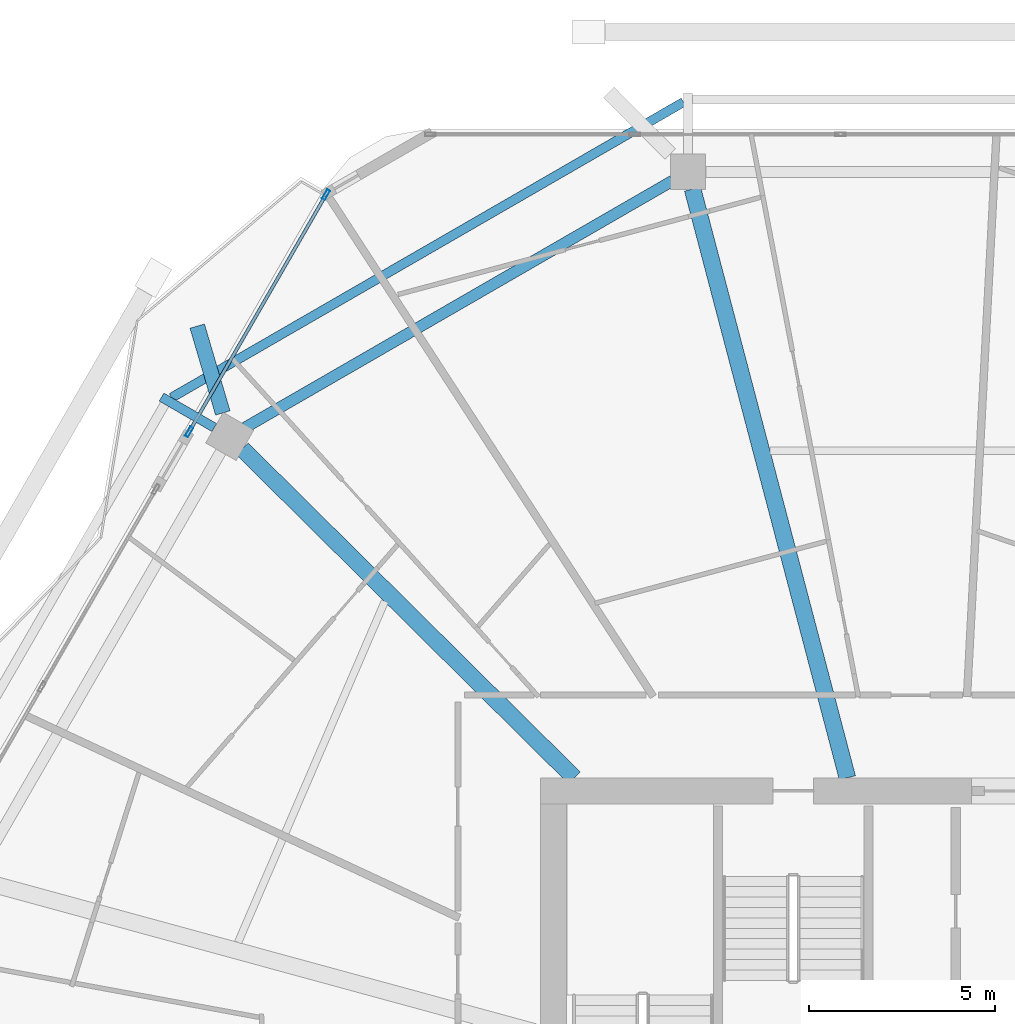
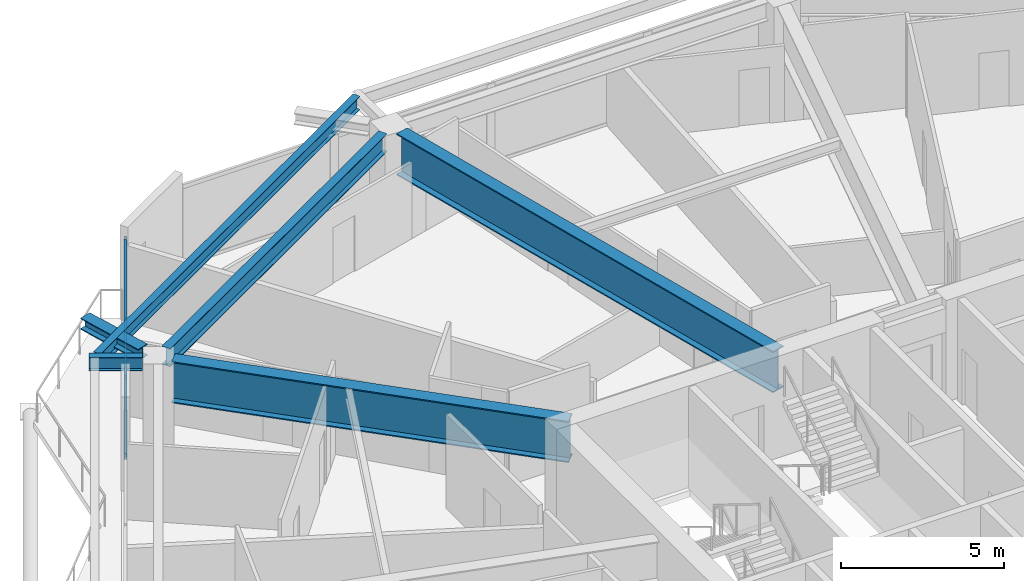
# One storey, part 14 of 28: 6 beams, 4 members, 1 element without a shape of its own.
"""IFC4 building model written with IfcOpenShell, lengths in metres."""

from ifc_helpers import new_model, si_unit, direction, frame, origin, origin_2d, place, context, subcontext, project, spatial, hollow_rectangle, i_section, extrude, material, material_profile, profile_set, type_object, element, aggregate, save


model = new_model("IFC4")

# Units and contexts
model_context = context("Model", 3, precision=1e-05, world=origin(), true_north=direction((0.0, 1.0)))
body_context = subcontext(model_context, "Body", "Model", "MODEL_VIEW")
ifc_project = project(units=[si_unit("LENGTHUNIT", "METRE"), si_unit("AREAUNIT", "SQUARE_METRE"), si_unit("VOLUMEUNIT", "CUBIC_METRE"), si_unit("PLANEANGLEUNIT", "RADIAN"), si_unit("MASSUNIT", "GRAM", prefix="KILO")], contexts=[model_context])

# Site, building, storey
site_placement = place(None, origin())
site = spatial("IfcSite", under=ifc_project, at=site_placement, CompositionType="ELEMENT")
building_placement = place(site_placement, origin())
building = spatial("IfcBuilding", under=site, at=building_placement, Name="Zuhravey Tower", CompositionType="ELEMENT")
storey_placement = place(building_placement, frame((0.0, 0.0, 222.60009765625)))
storey = spatial("IfcBuildingStorey", under=building, at=storey_placement, Name="L56", CompositionType="ELEMENT", Elevation=222.60009765625)

# Curtain wall, members
ifc_material_1 = material(Name="Thermally broken anodised aluminium", Category="aluminium")
curtain_wall_type = type_object("IfcCurtainWallType", Name="Zone 1-2 Residential Curtain Wall CW3", PredefinedType="NOTDEFINED", material=ifc_material_1)
curtain_wall_placement = place(storey_placement, origin())
curtain_wall = element("IfcCurtainWall", 1, at=curtain_wall_placement, inside=storey, type_object=curtain_wall_type, Name="L56 CW3 CW-L56-F3-2", PredefinedType="NOTDEFINED")
ifc_material_2 = material(Name="Anodised aluminium", Category="aluminium")
ifc_material_profile_1 = material_profile(ifc_material_2, hollow_rectangle(XDim=0.090087890625, YDim=0.284912109375, WallThickness=0.0048828125, at=origin_2d()), Name="ALU-RHS-90x285x5")
ifc_profile_set_1 = profile_set([ifc_material_profile_1], Name="Anodised aluminium")
member_type_1 = type_object("IfcMemberType", Name="Curtain-Wall Mullion 90x180", PredefinedType="MULLION", material=ifc_profile_set_1)
member_1_placement = place(storey_placement, frame((15.6796875, 51.170654296875, 0.0), z_axis=(0.0, 0.0, 1.0), x_axis=(-0.866024947799, 0.500000789788, 0.0)))
member_1 = element("IfcMember", 2, at=member_1_placement, type_object=member_type_1, Name="CW3 mullion 1", PredefinedType="MULLION", context=body_context, shape_type="SweptSolid", body=[
    extrude(hollow_rectangle(XDim=0.090087890625, YDim=0.284912109375, WallThickness=0.0048828125, at=origin_2d()), origin(), (0.0, 0.0, 1.0), 3.02001953125),
])
member_2_placement = place(storey_placement, frame((19.36669921875, 57.556640625, 0.0), z_axis=(0.0, 0.0, 1.0), x_axis=(-0.866024947799, 0.500000789788, 0.0)))
member_2 = element("IfcMember", 3, at=member_2_placement, type_object=member_type_1, Name="CW3 mullion 2", PredefinedType="MULLION", context=body_context, shape_type="SweptSolid", body=[
    extrude(hollow_rectangle(XDim=0.090087890625, YDim=0.284912109375, WallThickness=0.0048828125, at=origin_2d()), origin(), (0.0, 0.0, 1.0), 3.02001953125),
])
ifc_material_profile_2 = material_profile(ifc_material_2, hollow_rectangle(XDim=0.090087890625, YDim=0.14990234375, WallThickness=0.0048828125, at=origin_2d()), Name="ALU-RHS-90x150x5")
ifc_profile_set_2 = profile_set([ifc_material_profile_2], Name="Anodised aluminium")
member_type_2 = type_object("IfcMemberType", Name="Curtain-Wall Transom 90x150", PredefinedType="USERDEFINED", material=ifc_profile_set_2)
member_3_placement = place(storey_placement, frame((15.702392578125, 51.20947265625, 0.044921875), z_axis=(0.499985513808, 0.86603376723, 0.0), x_axis=(-0.86603376723, 0.499985513808, 0.0)))
member_3 = element("IfcMember", 4, at=member_3_placement, type_object=member_type_2, Name="CW3 transom 1.1", ObjectType="TRANSOM", PredefinedType="USERDEFINED", context=body_context, shape_type="SweptSolid", body=[
    extrude(hollow_rectangle(XDim=0.090087890625, YDim=0.14990234375, WallThickness=0.0048828125, at=origin_2d()), origin(), (0.0, 0.0, 1.0), 7.283935546875),
])
member_4_placement = place(storey_placement, frame((15.702392578125, 51.20947265625, 2.974853515625), z_axis=(0.499985513808, 0.86603376723, 0.0), x_axis=(-0.86603376723, 0.499985513808, 0.0)))
member_4 = element("IfcMember", 5, at=member_4_placement, type_object=member_type_2, Name="CW3 transom 1.2", ObjectType="TRANSOM", PredefinedType="USERDEFINED", context=body_context, shape_type="SweptSolid", body=[
    extrude(hollow_rectangle(XDim=0.090087890625, YDim=0.14990234375, WallThickness=0.0048828125, at=origin_2d()), origin(), (0.0, 0.0, 1.0), 7.283935546875),
])
aggregate(curtain_wall, [member_1, member_2, member_3, member_4])

# Beams
ifc_material_3 = material(Name="Steel SM460", Category="steel")
ifc_material_profile_3 = material_profile(ifc_material_3, i_section(OverallWidth=0.406982421875, OverallDepth=0.427978515625, WebThickness=0.02001953125, FlangeThickness=0.034912109375, at=origin_2d()), Name="H-428x407x20x35")
ifc_profile_set_3 = profile_set([ifc_material_profile_3], Name="Steel SM460")
beam_type_1 = type_object("IfcBeamType", Name="Exoskeleton Node Tie Beam H428x407", PredefinedType="BEAM", material=ifc_profile_set_3)
beam_1_placement = place(storey_placement, frame((16.588134765625, 51.679443359375, 3.305908203125), z_axis=(-0.282551038033, 0.959252266563, 0.0), x_axis=(-0.959252266563, -0.282551038033, 0.0)))
element("IfcBeam", 6, at=beam_1_placement, inside=storey, type_object=beam_type_1, Name="L56 Exoskeleton Node Tie NT1-05", PredefinedType="BEAM", context=body_context, shape_type="SweptSolid", body=[
    extrude(i_section(OverallWidth=0.406982421875, OverallDepth=0.427978515625, WebThickness=0.02001953125, FlangeThickness=0.034912109375, at=origin_2d()), origin(), (0.0, 0.0, 1.0), 2.439208984375),
])
ifc_material_profile_4 = material_profile(ifc_material_3, i_section(OverallWidth=0.449951171875, OverallDepth=1.550048828125, WebThickness=0.02587890625, FlangeThickness=0.0419921875, at=origin_2d()), Name="H-1550x450x26x42")
ifc_profile_set_4 = profile_set([ifc_material_profile_4], Name="Steel SM460")
beam_type_2 = type_object("IfcBeamType", Name="Heavy Setback Transfer Girder H1550x450", PredefinedType="BEAM", material=ifc_profile_set_4)
beam_2_placement = place(storey_placement, frame((33.4091796875, 41.85302734375, 2.744873046875), z_axis=(-0.254299806285, 0.967125435775, 0.0), x_axis=(-0.967125435775, -0.254299806285, 0.0)))
element("IfcBeam", 7, at=beam_2_placement, inside=storey, type_object=beam_type_2, Name="L56 TG3 BM-L56-RAD-04", PredefinedType="BEAM", context=body_context, shape_type="SweptSolid", body=[
    extrude(i_section(OverallWidth=0.449951171875, OverallDepth=1.550048828125, WebThickness=0.02587890625, FlangeThickness=0.0419921875, at=origin_2d()), origin(), (0.0, 0.0, 1.0), 16.396728515625),
])
beam_3_placement = place(storey_placement, frame((26.054443359375, 41.85302734375, 2.744873046875), z_axis=(-0.710406645816, 0.703791444663, 0.0), x_axis=(-0.703791444663, -0.710406645816, 0.0)))
element("IfcBeam", 8, at=beam_3_placement, inside=storey, type_object=beam_type_2, Name="L56 TG3 BM-L56-RAD-05", PredefinedType="BEAM", context=body_context, shape_type="SweptSolid", body=[
    extrude(i_section(OverallWidth=0.449951171875, OverallDepth=1.550048828125, WebThickness=0.02587890625, FlangeThickness=0.0419921875, at=origin_2d()), origin(), (0.0, 0.0, 1.0), 12.5849609375),
])
ifc_material_4 = material(Name="Steel SM355", Category="steel")
ifc_material_profile_5 = material_profile(ifc_material_4, i_section(OverallWidth=0.300048828125, OverallDepth=0.679931640625, WebThickness=0.012939453125, FlangeThickness=0.02197265625, at=origin_2d()), Name="H-680x300x13x22")
ifc_profile_set_5 = profile_set([ifc_material_profile_5], Name="Steel SM355")
beam_type_3 = type_object("IfcBeamType", Name="Perimeter Ring Beam H680x300", PredefinedType="BEAM", material=ifc_profile_set_5)
beam_4_placement = place(storey_placement, frame((28.7041015625, 57.93408203125, 3.179931640625), z_axis=(-0.866029041019, -0.499993700073, 0.0), x_axis=(0.499993700073, -0.866029041019, 0.0)))
element("IfcBeam", 9, at=beam_4_placement, inside=storey, type_object=beam_type_3, Name="L56 PB2 BM-L56-PB-04", PredefinedType="BEAM", context=body_context, shape_type="SweptSolid", body=[
    extrude(i_section(OverallWidth=0.300048828125, OverallDepth=0.679931640625, WebThickness=0.012939453125, FlangeThickness=0.02197265625, at=origin_2d()), origin(), (0.0, 0.0, 1.0), 13.297119140625),
])
ifc_material_profile_6 = material_profile(ifc_material_4, i_section(OverallWidth=0.25, OverallDepth=0.5, WebThickness=0.010009765625, FlangeThickness=0.01611328125, at=origin_2d()), Name="H-500x250x10x16")
ifc_profile_set_6 = profile_set([ifc_material_profile_6], Name="Steel SM355")
beam_type_4 = type_object("IfcBeamType", Name="Tray Cantilever Spandrel H500x250", PredefinedType="SPANDREL", material=ifc_profile_set_6)
beam_5_placement = place(storey_placement, frame((16.359619140625, 51.2861328125, 3.27001953125), z_axis=(-0.866009679343, 0.500027234542, 0.0), x_axis=(-0.500027234542, -0.866009679343, 0.0)))
element("IfcBeam", 10, at=beam_5_placement, inside=storey, type_object=beam_type_4, Name="L56 Sky-Tray Cantilever Arm TSB1-R05", PredefinedType="SPANDREL", context=body_context, shape_type="SweptSolid", body=[
    extrude(i_section(OverallWidth=0.25, OverallDepth=0.5, WebThickness=0.010009765625, FlangeThickness=0.01611328125, at=origin_2d()), origin(), (0.0, 0.0, 1.0), 1.64111328125),
])
beam_6_placement = place(storey_placement, frame((28.996826171875, 60.052978515625, 3.27001953125), z_axis=(-0.866028559073, -0.49999453484, 0.0), x_axis=(0.49999453484, -0.866028559073, 0.0)))
element("IfcBeam", 11, at=beam_6_placement, inside=storey, type_object=beam_type_4, Name="L56 Sky-Tray Edge Spandrel TSB1-04", PredefinedType="SPANDREL", context=body_context, shape_type="SweptSolid", body=[
    extrude(i_section(OverallWidth=0.25, OverallDepth=0.5, WebThickness=0.010009765625, FlangeThickness=0.01611328125, at=origin_2d()), origin(), (0.0, 0.0, 1.0), 15.923095703125),
])

save(model, "model.ifc")
